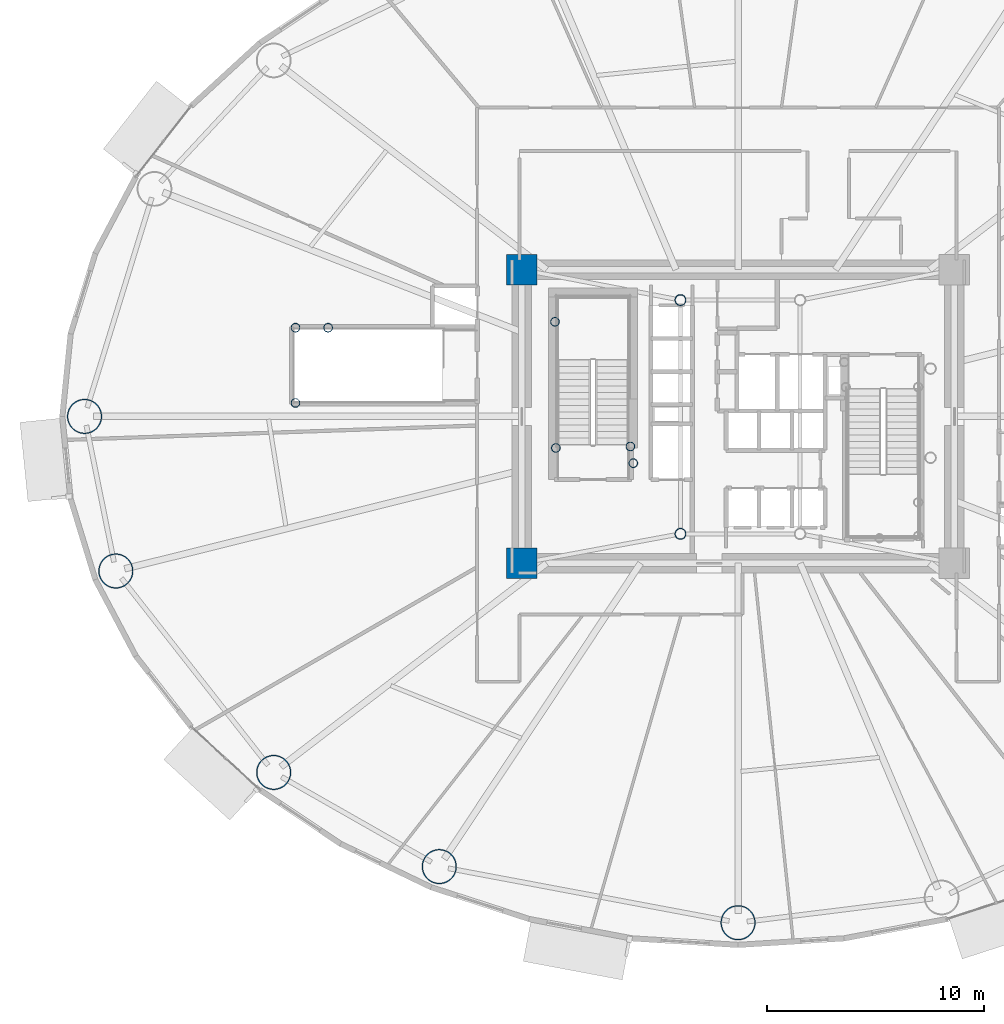
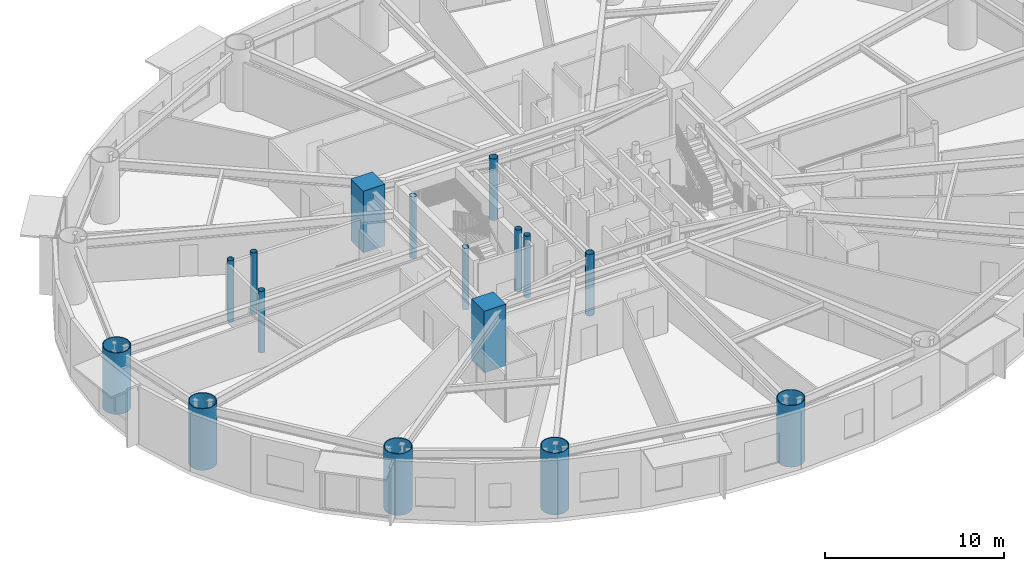
# One storey, part 1 of 28: 16 columns.
"""IFC4 building model written with IfcOpenShell, lengths in metres."""

from ifc_helpers import new_model, si_unit, direction, frame, origin, origin_2d, place, context, subcontext, project, spatial, rectangle, hollow_circle, extrude, material, material_profile, profile_set, type_object, element, save


model = new_model("IFC4")

# Units and contexts
model_context = context("Model", 3, precision=1e-05, world=origin(), true_north=direction((0.0, 1.0)))
body_context = subcontext(model_context, "Body", "Model", "MODEL_VIEW")
ifc_project = project(units=[si_unit("LENGTHUNIT", "METRE"), si_unit("AREAUNIT", "SQUARE_METRE"), si_unit("VOLUMEUNIT", "CUBIC_METRE"), si_unit("PLANEANGLEUNIT", "RADIAN"), si_unit("MASSUNIT", "GRAM", prefix="KILO")], contexts=[model_context])

# Site, building, storey
site_placement = place(None, origin())
site = spatial("IfcSite", under=ifc_project, at=site_placement, CompositionType="ELEMENT")
building_placement = place(site_placement, origin())
building = spatial("IfcBuilding", under=site, at=building_placement, Name="Linh Dai School and Residence Tower", CompositionType="ELEMENT")
storey_placement = place(building_placement, frame((0.0, 0.0, 57.60009765625)))
storey = spatial("IfcBuildingStorey", under=building, at=storey_placement, Name="L13", CompositionType="ELEMENT", Elevation=57.60009765625)

# Columns
ifc_material_1 = material(Name="Concrete B60 (C50/60)", Category="concrete")
ifc_material_profile_1 = material_profile(ifc_material_1, rectangle(XDim=1.39990234375, YDim=1.39990234375, at=origin_2d()), Name="RC 1400x1400")
ifc_profile_set_1 = profile_set([ifc_material_profile_1], Name="Concrete B60 (C50/60)")
column_type_1 = type_object("IfcColumnType", Name="COL-CC1", PredefinedType="COLUMN", material=ifc_profile_set_1)
for number, where, z_axis, x_axis, name in (
    (1, (26.050048828125, 20.25, 0.0), (0.0, 0.0, 1.0), (1.0, 0.0, 0.0), "L13 Core Corner Pier CC1"),
    (2, (26.050048828125, 33.75, 0.0), (0.0, 0.0, 1.0), (1.0, 0.0, 0.0), "L13 Core Corner Pier CC4"),
):
    element("IfcColumn", number, at=place(storey_placement, frame(where, z_axis=z_axis, x_axis=x_axis)), inside=storey, type_object=column_type_1, Name=name, PredefinedType="COLUMN", context=body_context, shape_type="SweptSolid", body=[
        extrude(rectangle(XDim=1.39990234375, YDim=1.39990234375, at=origin_2d()), origin(), (0.0, 0.0, 1.0), 4.199951171875),
    ])
ifc_material_2 = material(Name="Structural Steel S355JR", Category="steel")
ifc_material_profile_2 = material_profile(ifc_material_2, hollow_circle(Radius=0.203125, WallThickness=0.01611328125, at=origin_2d()), Name="CHS 406.4x16")
ifc_profile_set_2 = profile_set([ifc_material_profile_2], Name="Structural Steel S355JR")
column_type_2 = type_object("IfcColumnType", Name="COL-EC", PredefinedType="COLUMN", material=ifc_profile_set_2)
for number, where, z_axis, x_axis, name in (
    (3, (27.580078125, 31.35009765625, 0.0), (0.0, 0.0, 1.0), (1.0, 0.0, 0.0), "L13 Stair Shaft Landing Support Pier ST1NW"),
    (4, (31.050048828125, 25.6201171875, 0.0), (0.0, 0.0, 1.0), (1.0, 0.0, 0.0), "L13 Stair Shaft Landing Support Pier ST1SE"),
    (5, (31.179931640625, 24.85009765625, 0.0), (0.0, 0.0, 1.0), (1.0, 0.0, 0.0), "L13 Stair Shaft Landing Support Pier ST1SM"),
    (6, (27.6201171875, 25.550048828125, 0.0), (0.0, 0.0, 1.0), (1.0, 0.0, 0.0), "L13 Stair Shaft Landing Support Pier ST1SW"),
    (7, (15.64990234375, 27.6201171875, 0.0), (0.0, 0.0, 1.0), (1.0, 0.0, 0.0), "L13 Stair Shaft Landing Support Pier STS1SW"),
    (8, (15.64990234375, 31.080078125, 0.0), (0.0, 0.0, 1.0), (1.0, 0.0, 0.0), "L13 Stair Shaft Landing Support Pier STS1NW"),
    (9, (17.14990234375, 31.080078125, 0.0), (0.0, 0.0, 1.0), (1.0, 0.0, 0.0), "L13 Stair Shaft Landing Support Pier STS1ME"),
):
    element("IfcColumn", number, at=place(storey_placement, frame(where, z_axis=z_axis, x_axis=x_axis)), inside=storey, type_object=column_type_2, Name=name, PredefinedType="COLUMN", context=body_context, shape_type="SweptSolid", body=[
        extrude(hollow_circle(Radius=0.203125, WallThickness=0.01611328125, at=origin_2d()), origin(), (0.0, 0.0, 1.0), 4.199951171875),
    ])
ifc_material_profile_3 = material_profile(ifc_material_2, hollow_circle(Radius=0.800048828125, WallThickness=0.044921875, at=origin_2d()), Name="CHS 1600x45")
ifc_profile_set_3 = profile_set([ifc_material_profile_3], Name="Structural Steel S355JR")
column_type_3 = type_object("IfcColumnType", Name="COL-MC2", PredefinedType="COLUMN", material=ifc_profile_set_3)
for number, where, z_axis, x_axis, name in (
    (10, (5.949951171875, 27.0, 0.0), (0.0, 0.0, 1.0), (1.0, 0.0, 0.0), "L13 Perimeter CFT Mega-Column MC09"),
    (11, (7.38916015625, 19.891357421875, 0.0), (0.0, 0.0, 1.0), (1.0, 0.0, 0.0), "L13 Perimeter CFT Mega-Column MC10"),
    (12, (14.647216796875, 10.630859375, 0.0), (0.0, 0.0, 1.0), (1.0, 0.0, 0.0), "L13 Perimeter CFT Mega-Column MC11"),
    (13, (22.26171875, 6.30078125, 0.0), (0.0, 0.0, 1.0), (1.0, 0.0, 0.0), "L13 Perimeter CFT Mega-Column MC12"),
    (14, (36.0, 3.719970703125, 0.0), (0.0, 0.0, 1.0), (1.0, 0.0, 0.0), "L13 Perimeter CFT Mega-Column MC13"),
):
    element("IfcColumn", number, at=place(storey_placement, frame(where, z_axis=z_axis, x_axis=x_axis)), inside=storey, type_object=column_type_3, Name=name, PredefinedType="COLUMN", context=body_context, shape_type="SweptSolid", body=[
        extrude(hollow_circle(Radius=0.800048828125, WallThickness=0.044921875, at=origin_2d()), origin(), (0.0, 0.0, 1.0), 4.199951171875),
    ])
ifc_material_profile_4 = material_profile(ifc_material_2, hollow_circle(Radius=0.25390625, WallThickness=0.02001953125, at=origin_2d()), Name="CHS 508x20")
ifc_profile_set_4 = profile_set([ifc_material_profile_4], Name="Structural Steel S355JR")
column_type_4 = type_object("IfcColumnType", Name="COL-MCP", PredefinedType="COLUMN", material=ifc_profile_set_4)
for number, where, z_axis, x_axis, name in (
    (15, (33.35009765625, 21.60009765625, 0.0), (0.0, 0.0, 1.0), (1.0, 0.0, 0.0), "L13 Core Mast Support Pier MCP1"),
    (16, (33.35009765625, 32.35009765625, 0.0), (0.0, 0.0, 1.0), (1.0, 0.0, 0.0), "L13 Core Mast Support Pier MCP4"),
):
    element("IfcColumn", number, at=place(storey_placement, frame(where, z_axis=z_axis, x_axis=x_axis)), inside=storey, type_object=column_type_4, Name=name, PredefinedType="COLUMN", context=body_context, shape_type="SweptSolid", body=[
        extrude(hollow_circle(Radius=0.25390625, WallThickness=0.02001953125, at=origin_2d()), origin(), (0.0, 0.0, 1.0), 4.199951171875),
    ])

save(model, "model.ifc")
